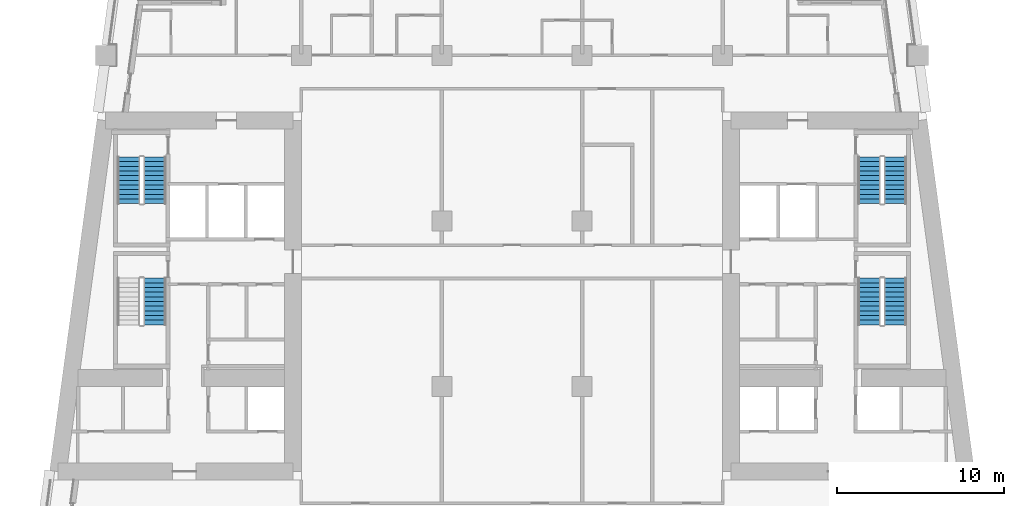
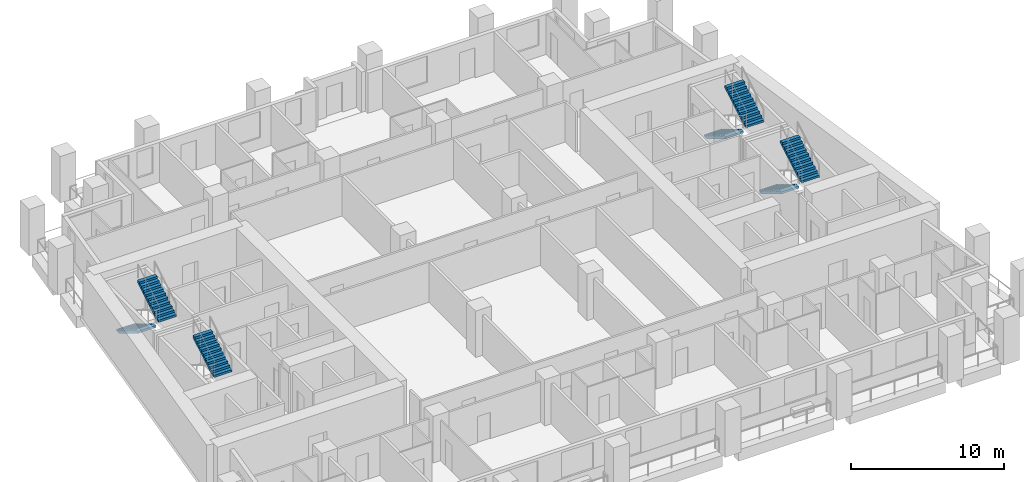
# One storey, part 8 of 13: 7 stair flights, 4 elements without a shape of their own.
"""IFC4 building model written with IfcOpenShell, lengths in metres."""

from ifc_helpers import new_model, si_unit, direction, frame, origin, place, context, subcontext, project, spatial, polyline, outline, extrude, material, type_object, element, aggregate, save


model = new_model("IFC4")

# Units and contexts
model_context = context("Model", 3, precision=1e-05, world=origin(), true_north=direction((0.0, 1.0)))
body_context = subcontext(model_context, "Body", "Model", "MODEL_VIEW")
ifc_project = project(units=[si_unit("LENGTHUNIT", "METRE"), si_unit("AREAUNIT", "SQUARE_METRE"), si_unit("VOLUMEUNIT", "CUBIC_METRE"), si_unit("PLANEANGLEUNIT", "RADIAN"), si_unit("MASSUNIT", "GRAM", prefix="KILO")], contexts=[model_context])

# Site, building, storey
site_placement = place(None, origin())
site = spatial("IfcSite", under=ifc_project, at=site_placement, CompositionType="ELEMENT")
building_placement = place(site_placement, origin())
building = spatial("IfcBuilding", under=site, at=building_placement, Name="Candeia Pilgrim Tower and Theatre", CompositionType="ELEMENT")
storey_placement = place(building_placement, frame((0.0, 0.0, 131.699951171875)))
storey = spatial("IfcBuildingStorey", under=building, at=storey_placement, Name="L31", CompositionType="ELEMENT", Elevation=131.699951171875)

# Stair, stair flight
ifc_material = material(Name="Concrete C40/50", Category="concrete")
stair_type = type_object("IfcStairType", Name="ST-TWR dog-leg escape stair", PredefinedType="HALF_TURN_STAIR", material=ifc_material)
stair_1_placement = place(storey_placement, origin())
stair_1 = element("IfcStair", 1, at=stair_1_placement, inside=storey, type_object=stair_type, Name="L31 Escape stair ST1", PredefinedType="HALF_TURN_STAIR")
stair_flight_type = type_object("IfcStairFlightType", Name="SFL-RC stair flight", PredefinedType="STRAIGHT", material=ifc_material)
stair_flight_1_placement = place(storey_placement, frame((92.027099609375, 119.675048828125, 1.85009765625), z_axis=(0.0, 0.0, 1.0), x_axis=(0.0, 1.0, 0.0)))
stair_flight_1 = element("IfcStairFlight", 2, at=stair_flight_1_placement, type_object=stair_flight_type, Name="ST1 flight 2", NumberOfRisers=11, NumberOfTreads=10, PredefinedType="STRAIGHT", RiserHeight=0.168181818, TreadLength=0.28, context=body_context, shape_type="SweptSolid", body=[
    extrude(outline(polyline([(0.0, 0.0), (0.0, 0.168212890625), (0.280029296875, 0.168212890625), (0.280029296875, 0.33642578125), (0.56005859375, 0.33642578125), (0.56005859375, 0.504638671875), (0.840087890625, 0.504638671875), (0.840087890625, 0.672607421875), (1.1201171875, 0.672607421875), (1.1201171875, 0.8408203125), (1.39990234375, 0.8408203125), (1.39990234375, 1.009033203125), (1.679931640625, 1.009033203125), (1.679931640625, 1.17724609375), (1.9599609375, 1.17724609375), (1.9599609375, 1.345458984375), (2.239990234375, 1.345458984375), (2.239990234375, 1.513671875), (2.52001953125, 1.513671875), (2.52001953125, 1.681884765625), (2.800048828125, 1.681884765625), (2.800048828125, 1.85009765625), (2.800048828125, 1.5068359375), (0.291015625, 0.0), (0.0, 0.0)])), frame((0.0, 0.675048828125, 0.0), z_axis=(0.0, -1.0, 0.0), x_axis=(1.0, 0.0, 0.0)), (0.0, 0.0, 1.0), 1.35009765625),
])
aggregate(stair_1, [stair_flight_1])

# Stair, stair flights
stair_2_placement = place(storey_placement, origin())
stair_2 = element("IfcStair", 3, at=stair_2_placement, inside=storey, type_object=stair_type, Name="L31 Escape stair ST2", PredefinedType="HALF_TURN_STAIR")
stair_flight_2_placement = place(storey_placement, frame((90.47705078125, 129.72509765625, 0.0), z_axis=(0.0, 0.0, 1.0), x_axis=(0.0, -1.0, 0.0)))
stair_flight_2 = element("IfcStairFlight", 4, at=stair_flight_2_placement, type_object=stair_flight_type, Name="ST2 flight 1", NumberOfRisers=11, NumberOfTreads=10, PredefinedType="STRAIGHT", RiserHeight=0.168181818, TreadLength=0.28, context=body_context, shape_type="SweptSolid", body=[
    extrude(outline(polyline([(0.0, 0.0), (0.0, 0.168212890625), (0.280029296875, 0.168212890625), (0.280029296875, 0.33642578125), (0.56005859375, 0.33642578125), (0.56005859375, 0.504638671875), (0.840087890625, 0.504638671875), (0.840087890625, 0.672607421875), (1.1201171875, 0.672607421875), (1.1201171875, 0.8408203125), (1.39990234375, 0.8408203125), (1.39990234375, 1.009033203125), (1.679931640625, 1.009033203125), (1.679931640625, 1.17724609375), (1.9599609375, 1.17724609375), (1.9599609375, 1.345458984375), (2.239990234375, 1.345458984375), (2.239990234375, 1.513671875), (2.52001953125, 1.513671875), (2.52001953125, 1.681884765625), (2.800048828125, 1.681884765625), (2.800048828125, 1.85009765625), (2.800048828125, 1.5068359375), (0.291015625, 0.0), (0.0, 0.0)])), frame((0.0, 0.675048828125, 0.0), z_axis=(0.0, -1.0, 0.0), x_axis=(1.0, 0.0, 0.0)), (0.0, 0.0, 1.0), 1.35009765625),
])
stair_flight_3_placement = place(storey_placement, frame((92.027099609375, 126.925048828125, 1.85009765625), z_axis=(0.0, 0.0, 1.0), x_axis=(0.0, 1.0, 0.0)))
stair_flight_3 = element("IfcStairFlight", 5, at=stair_flight_3_placement, type_object=stair_flight_type, Name="ST2 flight 2", NumberOfRisers=11, NumberOfTreads=10, PredefinedType="STRAIGHT", RiserHeight=0.168181818, TreadLength=0.28, context=body_context, shape_type="SweptSolid", body=[
    extrude(outline(polyline([(0.0, 0.0), (0.0, 0.168212890625), (0.280029296875, 0.168212890625), (0.280029296875, 0.33642578125), (0.56005859375, 0.33642578125), (0.56005859375, 0.504638671875), (0.840087890625, 0.504638671875), (0.840087890625, 0.672607421875), (1.1201171875, 0.672607421875), (1.1201171875, 0.8408203125), (1.39990234375, 0.8408203125), (1.39990234375, 1.009033203125), (1.679931640625, 1.009033203125), (1.679931640625, 1.17724609375), (1.9599609375, 1.17724609375), (1.9599609375, 1.345458984375), (2.239990234375, 1.345458984375), (2.239990234375, 1.513671875), (2.52001953125, 1.513671875), (2.52001953125, 1.681884765625), (2.800048828125, 1.681884765625), (2.800048828125, 1.85009765625), (2.800048828125, 1.5068359375), (0.291015625, 0.0), (0.0, 0.0)])), frame((0.0, 0.675048828125, 0.0), z_axis=(0.0, -1.0, 0.0), x_axis=(1.0, 0.0, 0.0)), (0.0, 0.0, 1.0), 1.35009765625),
])
aggregate(stair_2, [stair_flight_2, stair_flight_3])

stair_3_placement = place(storey_placement, origin())
stair_3 = element("IfcStair", 6, at=stair_3_placement, inside=storey, type_object=stair_type, Name="L31 Escape stair ST3", PredefinedType="HALF_TURN_STAIR")
stair_flight_4_placement = place(storey_placement, frame((134.77294921875, 122.47509765625, 0.0), z_axis=(0.0, 0.0, 1.0), x_axis=(0.0, -1.0, 0.0)))
stair_flight_4 = element("IfcStairFlight", 7, at=stair_flight_4_placement, type_object=stair_flight_type, Name="ST3 flight 1", NumberOfRisers=11, NumberOfTreads=10, PredefinedType="STRAIGHT", RiserHeight=0.168181818, TreadLength=0.28, context=body_context, shape_type="SweptSolid", body=[
    extrude(outline(polyline([(0.0, 0.0), (0.0, 0.168212890625), (0.280029296875, 0.168212890625), (0.280029296875, 0.33642578125), (0.56005859375, 0.33642578125), (0.56005859375, 0.504638671875), (0.840087890625, 0.504638671875), (0.840087890625, 0.672607421875), (1.1201171875, 0.672607421875), (1.1201171875, 0.8408203125), (1.39990234375, 0.8408203125), (1.39990234375, 1.009033203125), (1.679931640625, 1.009033203125), (1.679931640625, 1.17724609375), (1.9599609375, 1.17724609375), (1.9599609375, 1.345458984375), (2.239990234375, 1.345458984375), (2.239990234375, 1.513671875), (2.52001953125, 1.513671875), (2.52001953125, 1.681884765625), (2.800048828125, 1.681884765625), (2.800048828125, 1.85009765625), (2.800048828125, 1.5068359375), (0.291015625, 0.0), (0.0, 0.0)])), frame((0.0, 0.675048828125, 0.0), z_axis=(0.0, -1.0, 0.0), x_axis=(1.0, 0.0, 0.0)), (0.0, 0.0, 1.0), 1.35009765625),
])
stair_flight_5_placement = place(storey_placement, frame((136.322998046875, 119.675048828125, 1.85009765625), z_axis=(0.0, 0.0, 1.0), x_axis=(0.0, 1.0, 0.0)))
stair_flight_5 = element("IfcStairFlight", 8, at=stair_flight_5_placement, type_object=stair_flight_type, Name="ST3 flight 2", NumberOfRisers=11, NumberOfTreads=10, PredefinedType="STRAIGHT", RiserHeight=0.168181818, TreadLength=0.28, context=body_context, shape_type="SweptSolid", body=[
    extrude(outline(polyline([(0.0, 0.0), (0.0, 0.168212890625), (0.280029296875, 0.168212890625), (0.280029296875, 0.33642578125), (0.56005859375, 0.33642578125), (0.56005859375, 0.504638671875), (0.840087890625, 0.504638671875), (0.840087890625, 0.672607421875), (1.1201171875, 0.672607421875), (1.1201171875, 0.8408203125), (1.39990234375, 0.8408203125), (1.39990234375, 1.009033203125), (1.679931640625, 1.009033203125), (1.679931640625, 1.17724609375), (1.9599609375, 1.17724609375), (1.9599609375, 1.345458984375), (2.239990234375, 1.345458984375), (2.239990234375, 1.513671875), (2.52001953125, 1.513671875), (2.52001953125, 1.681884765625), (2.800048828125, 1.681884765625), (2.800048828125, 1.85009765625), (2.800048828125, 1.5068359375), (0.291015625, 0.0), (0.0, 0.0)])), frame((0.0, 0.675048828125, 0.0), z_axis=(0.0, -1.0, 0.0), x_axis=(1.0, 0.0, 0.0)), (0.0, 0.0, 1.0), 1.35009765625),
])
aggregate(stair_3, [stair_flight_4, stair_flight_5])

stair_4_placement = place(storey_placement, origin())
stair_4 = element("IfcStair", 9, at=stair_4_placement, inside=storey, type_object=stair_type, Name="L31 Escape stair ST4", PredefinedType="HALF_TURN_STAIR")
stair_flight_6_placement = place(storey_placement, frame((134.77294921875, 129.72509765625, 0.0), z_axis=(0.0, 0.0, 1.0), x_axis=(0.0, -1.0, 0.0)))
stair_flight_6 = element("IfcStairFlight", 10, at=stair_flight_6_placement, type_object=stair_flight_type, Name="ST4 flight 1", NumberOfRisers=11, NumberOfTreads=10, PredefinedType="STRAIGHT", RiserHeight=0.168181818, TreadLength=0.28, context=body_context, shape_type="SweptSolid", body=[
    extrude(outline(polyline([(0.0, 0.0), (0.0, 0.168212890625), (0.280029296875, 0.168212890625), (0.280029296875, 0.33642578125), (0.56005859375, 0.33642578125), (0.56005859375, 0.504638671875), (0.840087890625, 0.504638671875), (0.840087890625, 0.672607421875), (1.1201171875, 0.672607421875), (1.1201171875, 0.8408203125), (1.39990234375, 0.8408203125), (1.39990234375, 1.009033203125), (1.679931640625, 1.009033203125), (1.679931640625, 1.17724609375), (1.9599609375, 1.17724609375), (1.9599609375, 1.345458984375), (2.239990234375, 1.345458984375), (2.239990234375, 1.513671875), (2.52001953125, 1.513671875), (2.52001953125, 1.681884765625), (2.800048828125, 1.681884765625), (2.800048828125, 1.85009765625), (2.800048828125, 1.5068359375), (0.291015625, 0.0), (0.0, 0.0)])), frame((0.0, 0.675048828125, 0.0), z_axis=(0.0, -1.0, 0.0), x_axis=(1.0, 0.0, 0.0)), (0.0, 0.0, 1.0), 1.35009765625),
])
stair_flight_7_placement = place(storey_placement, frame((136.322998046875, 126.925048828125, 1.85009765625), z_axis=(0.0, 0.0, 1.0), x_axis=(0.0, 1.0, 0.0)))
stair_flight_7 = element("IfcStairFlight", 11, at=stair_flight_7_placement, type_object=stair_flight_type, Name="ST4 flight 2", NumberOfRisers=11, NumberOfTreads=10, PredefinedType="STRAIGHT", RiserHeight=0.168181818, TreadLength=0.28, context=body_context, shape_type="SweptSolid", body=[
    extrude(outline(polyline([(0.0, 0.0), (0.0, 0.168212890625), (0.280029296875, 0.168212890625), (0.280029296875, 0.33642578125), (0.56005859375, 0.33642578125), (0.56005859375, 0.504638671875), (0.840087890625, 0.504638671875), (0.840087890625, 0.672607421875), (1.1201171875, 0.672607421875), (1.1201171875, 0.8408203125), (1.39990234375, 0.8408203125), (1.39990234375, 1.009033203125), (1.679931640625, 1.009033203125), (1.679931640625, 1.17724609375), (1.9599609375, 1.17724609375), (1.9599609375, 1.345458984375), (2.239990234375, 1.345458984375), (2.239990234375, 1.513671875), (2.52001953125, 1.513671875), (2.52001953125, 1.681884765625), (2.800048828125, 1.681884765625), (2.800048828125, 1.85009765625), (2.800048828125, 1.5068359375), (0.291015625, 0.0), (0.0, 0.0)])), frame((0.0, 0.675048828125, 0.0), z_axis=(0.0, -1.0, 0.0), x_axis=(1.0, 0.0, 0.0)), (0.0, 0.0, 1.0), 1.35009765625),
])
aggregate(stair_4, [stair_flight_6, stair_flight_7])

save(model, "model.ifc")
